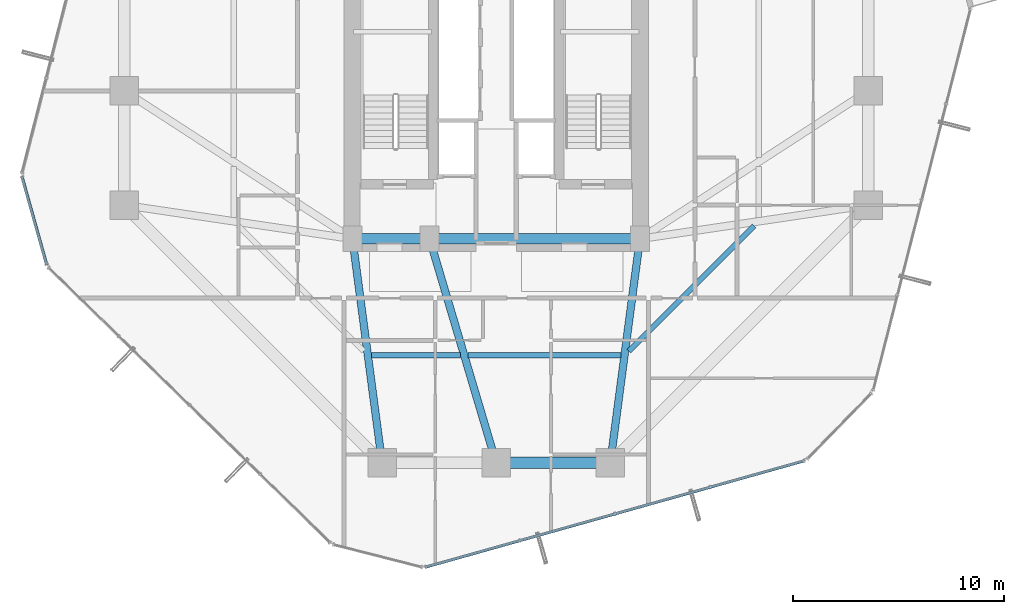
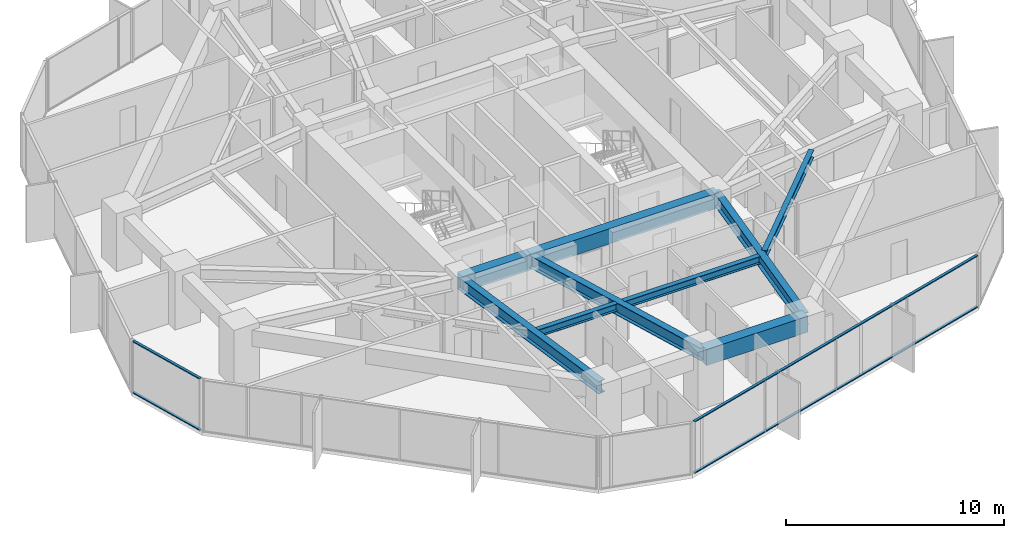
# One storey, part 8 of 39: 9 beams, 4 members, 2 elements without a shape of their own.
"""IFC4 building model written with IfcOpenShell, lengths in metres."""

from ifc_helpers import new_model, si_unit, direction, frame, origin, origin_2d, place, context, subcontext, project, spatial, rectangle, hollow_rectangle, i_section, extrude, source, transform, mapped, material, layer, layer_set, material_profile, profile_set, type_object, element, aggregate, save


model = new_model("IFC4")

# Units and contexts
model_context = context("Model", 3, precision=1e-05, world=origin(), true_north=direction((0.0, 1.0)))
body_context = subcontext(model_context, "Body", "Model", "MODEL_VIEW")
ifc_project = project(units=[si_unit("LENGTHUNIT", "METRE"), si_unit("AREAUNIT", "SQUARE_METRE"), si_unit("VOLUMEUNIT", "CUBIC_METRE"), si_unit("PLANEANGLEUNIT", "RADIAN"), si_unit("MASSUNIT", "GRAM", prefix="KILO")], contexts=[model_context])

# Site, building, storey
site_placement = place(None, origin())
site = spatial("IfcSite", under=ifc_project, at=site_placement, CompositionType="ELEMENT")
building_placement = place(site_placement, origin())
building = spatial("IfcBuilding", under=site, at=building_placement, Name="Veraguas Prism Commons", CompositionType="ELEMENT")
storey_placement = place(building_placement, frame((0.0, 0.0, 77.10009765625)))
storey = spatial("IfcBuildingStorey", under=building, at=storey_placement, Name="L21", CompositionType="ELEMENT", Elevation=77.10009765625)

# Beams
ifc_material_1 = material(Name="Concrete C50/60", Category="concrete")
ifc_material_profile_1 = material_profile(ifc_material_1, rectangle(XDim=0.5, YDim=0.85009765625, at=origin_2d()), Name="RC500X850")
ifc_profile_set_1 = profile_set([ifc_material_profile_1], Name="Concrete C50/60")
beam_type_1 = type_object("IfcBeamType", Name="Core Coupling Beam RC 500x850", PredefinedType="BEAM", material=ifc_profile_set_1)
beam_1_placement = place(storey_placement, frame((17.199951171875, 17.0, 2.5048828125), z_axis=(1.0, 0.0, 0.0), x_axis=(0.0, 1.0, 0.0)))
element("IfcBeam", 1, at=beam_1_placement, inside=storey, type_object=beam_type_1, Name="Core Coupling Beam L21-CRS1", PredefinedType="BEAM", context=body_context, shape_type="SweptSolid", body=[
    extrude(rectangle(XDim=0.5, YDim=0.85009765625, at=origin_2d()), origin(), (0.0, 0.0, 1.0), 3.650146484375),
])
beam_2_placement = place(storey_placement, frame((20.85009765625, 17.0, 2.5048828125), z_axis=(1.0, 0.0, 0.0), x_axis=(0.0, 1.0, 0.0)))
element("IfcBeam", 2, at=beam_2_placement, inside=storey, type_object=beam_type_1, Name="Core Coupling Beam L21-CRS2", PredefinedType="BEAM", context=body_context, shape_type="SweptSolid", body=[
    extrude(rectangle(XDim=0.5, YDim=0.85009765625, at=origin_2d()), origin(), (0.0, 0.0, 1.0), 9.949951171875),
])
ifc_material_2 = material(Name="Steel ASTM A992 Grade 50", Category="steel")
ifc_material_profile_2 = material_profile(ifc_material_2, i_section(OverallWidth=0.260986328125, OverallDepth=0.419921875, WebThickness=0.01171875, FlangeThickness=0.019287109375, at=origin_2d()), Name="W410X114")
ifc_profile_set_2 = profile_set([ifc_material_profile_2], Name="Steel ASTM A992 Grade 50")
beam_type_2 = type_object("IfcBeamType", Name="Lower Floor Joist W410x114", PredefinedType="JOIST", material=ifc_profile_set_2)
beam_3_placement = place(storey_placement, frame((18.10546875, 11.488037109375, 2.719970703125), z_axis=(1.0, 0.0, 0.0), x_axis=(0.0, 1.0, 0.0)))
element("IfcBeam", 3, at=beam_3_placement, inside=storey, type_object=beam_type_2, Name="Composite Floor Joist L21-JS10", PredefinedType="JOIST", context=body_context, shape_type="SweptSolid", body=[
    extrude(i_section(OverallWidth=0.260986328125, OverallDepth=0.419921875, WebThickness=0.01171875, FlangeThickness=0.019287109375, at=origin_2d()), origin(), (0.0, 0.0, 1.0), 4.198974609375),
])
beam_4_placement = place(storey_placement, frame((22.671630859375, 11.488037109375, 2.719970703125), z_axis=(1.0, 0.0, 0.0), x_axis=(0.0, 1.0, 0.0)))
element("IfcBeam", 4, at=beam_4_placement, inside=storey, type_object=beam_type_2, Name="Composite Floor Joist L21-JS11", PredefinedType="JOIST", context=body_context, shape_type="SweptSolid", body=[
    extrude(i_section(OverallWidth=0.260986328125, OverallDepth=0.419921875, WebThickness=0.01171875, FlangeThickness=0.019287109375, at=origin_2d()), origin(), (0.0, 0.0, 1.0), 7.222900390625),
])
beam_5_placement = place(storey_placement, frame((30.276611328125, 11.6923828125, 2.719970703125), z_axis=(0.707092226423, 0.70712133565, 0.0), x_axis=(-0.70712133565, 0.707092226423, 0.0)))
element("IfcBeam", 5, at=beam_5_placement, inside=storey, type_object=beam_type_2, Name="Composite Floor Joist L21-JS12", PredefinedType="JOIST", context=body_context, shape_type="SweptSolid", body=[
    extrude(i_section(OverallWidth=0.260986328125, OverallDepth=0.419921875, WebThickness=0.01171875, FlangeThickness=0.019287109375, at=origin_2d()), origin(), (0.0, 0.0, 1.0), 8.386962890625),
])
ifc_material_profile_3 = material_profile(ifc_material_1, rectangle(XDim=0.550048828125, YDim=0.89990234375, at=origin_2d()), Name="RC550X900")
ifc_profile_set_3 = profile_set([ifc_material_profile_3], Name="Concrete C50/60")
beam_type_3 = type_object("IfcBeamType", Name="Perimeter Spandrel Lower RC 550x900", PredefinedType="SPANDREL", material=ifc_profile_set_3)
beam_6_placement = place(storey_placement, frame((24.0, 6.39990234375, 2.47998046875), z_axis=(1.0, 0.0, 0.0), x_axis=(0.0, 1.0, 0.0)))
element("IfcBeam", 6, at=beam_6_placement, inside=storey, type_object=beam_type_3, Name="Perimeter Spandrel Beam L21-SP11", PredefinedType="SPANDREL", context=body_context, shape_type="SweptSolid", body=[
    extrude(rectangle(XDim=0.550048828125, YDim=0.89990234375, at=origin_2d()), origin(), (0.0, 0.0, 1.0), 5.39990234375),
])
ifc_material_profile_4 = material_profile(ifc_material_2, i_section(OverallWidth=0.35595703125, OverallDepth=0.700927734375, WebThickness=0.016845703125, FlangeThickness=0.02734375, at=origin_2d()), Name="W690X240")
ifc_profile_set_4 = profile_set([ifc_material_profile_4], Name="Steel ASTM A992 Grade 50")
beam_type_4 = type_object("IfcBeamType", Name="Zone 1 Radial Girder W690x240", PredefinedType="BEAM", material=ifc_profile_set_4)
beam_7_placement = place(storey_placement, frame((18.60009765625, 6.39990234375, 2.579345703125), z_axis=(-0.130950648891, 0.991388888154, 0.0), x_axis=(-0.991388888154, -0.130950648891, 0.0)))
element("IfcBeam", 7, at=beam_7_placement, inside=storey, type_object=beam_type_4, Name="Radial Floor Girder L21-RD10", PredefinedType="BEAM", context=body_context, shape_type="SweptSolid", body=[
    extrude(i_section(OverallWidth=0.35595703125, OverallDepth=0.700927734375, WebThickness=0.016845703125, FlangeThickness=0.02734375, at=origin_2d()), origin(), (0.0, 0.0, 1.0), 10.692138671875),
])
beam_8_placement = place(storey_placement, frame((24.0, 6.39990234375, 2.579345703125), z_axis=(-0.28484745997, 0.958572858237, 0.0), x_axis=(-0.958572858237, -0.28484745997, 0.0)))
element("IfcBeam", 8, at=beam_8_placement, inside=storey, type_object=beam_type_4, Name="Radial Floor Girder L21-RD11", PredefinedType="BEAM", context=body_context, shape_type="SweptSolid", body=[
    extrude(i_section(OverallWidth=0.35595703125, OverallDepth=0.700927734375, WebThickness=0.016845703125, FlangeThickness=0.02734375, at=origin_2d()), origin(), (0.0, 0.0, 1.0), 11.05810546875),
])
beam_9_placement = place(storey_placement, frame((29.39990234375, 6.39990234375, 2.579345703125), z_axis=(0.130950648891, 0.991388888154, 0.0), x_axis=(-0.991388888154, 0.130950648891, 0.0)))
element("IfcBeam", 9, at=beam_9_placement, inside=storey, type_object=beam_type_4, Name="Radial Floor Girder L21-RD12", PredefinedType="BEAM", context=body_context, shape_type="SweptSolid", body=[
    extrude(i_section(OverallWidth=0.35595703125, OverallDepth=0.700927734375, WebThickness=0.016845703125, FlangeThickness=0.02734375, at=origin_2d()), origin(), (0.0, 0.0, 1.0), 10.692138671875),
])

# Curtain wall, members
ifc_material_3 = material(Name="Anodised aluminium EN AW-6063 T6", Category="aluminium")
ifc_layer = layer(ifc_material_3, 0.169921875, Name="Unitised Flush Curtain Wall Zone 1", Category="aluminium")
ifc_layer_set = layer_set([ifc_layer], Name="Anodised aluminium EN AW-6063 T6")
curtain_wall_type = type_object("IfcCurtainWallType", Name="Unitised Flush Curtain Wall Zone 1", PredefinedType="NOTDEFINED", material=ifc_layer_set)
curtain_wall_1_placement = place(storey_placement, origin())
curtain_wall_1 = element("IfcCurtainWall", 10, at=curtain_wall_1_placement, inside=storey, type_object=curtain_wall_type, Name="Tower Facade Curtain Wall L21-F5", PredefinedType="NOTDEFINED")
ifc_material_profile_5 = material_profile(ifc_material_3, hollow_rectangle(XDim=0.054931640625, YDim=0.135009765625, WallThickness=0.0029296875, at=origin_2d()), Name="AL55X135X3")
ifc_profile_set_5 = profile_set([ifc_material_profile_5], Name="Anodised aluminium EN AW-6063 T6")
member_type = type_object("IfcMemberType", Name="Curtain Wall Transom Standard AL 55x135x3", PredefinedType="USERDEFINED", material=ifc_profile_set_5)
shared_shape_1 = source(origin(), body_context, "Body", "SweptSolid", [
    extrude(hollow_rectangle(XDim=0.054931640625, YDim=0.135009765625, WallThickness=0.0029296875, at=origin_2d()), origin(), (0.0, 0.0, 1.0), 18.623779296875),
])
member_1_placement = place(storey_placement, frame((20.652099609375, 1.47216796875, 0.02734375), z_axis=(0.962784500014, 0.27027024722, 0.0), x_axis=(0.0, 0.0, 1.0)))
member_1 = element("IfcMember", 11, at=member_1_placement, type_object=member_type, Name="CW-Z1 Transom 1", ObjectType="TRANSOM", PredefinedType="USERDEFINED", context=body_context, shape_type="MappedRepresentation", body=[
    mapped(shared_shape_1, transform((0.0, 0.0, 0.0), scale=1.0)),
])
member_2_placement = place(storey_placement, frame((20.652099609375, 1.47216796875, 2.90234375), z_axis=(0.962784500014, 0.27027024722, 0.0), x_axis=(0.0, 0.0, 1.0)))
member_2 = element("IfcMember", 12, at=member_2_placement, type_object=member_type, Name="CW-Z1 Transom 2", ObjectType="TRANSOM", PredefinedType="USERDEFINED", context=body_context, shape_type="MappedRepresentation", body=[
    mapped(shared_shape_1, transform((0.0, 0.0, 0.0), scale=1.0)),
])
aggregate(curtain_wall_1, [member_1, member_2])

curtain_wall_2_placement = place(storey_placement, origin())
curtain_wall_2 = element("IfcCurtainWall", 13, at=curtain_wall_2_placement, inside=storey, type_object=curtain_wall_type, Name="Chamfer Curtain Wall L21-C4", PredefinedType="NOTDEFINED")
shared_shape_2 = source(origin(), body_context, "Body", "SweptSolid", [
    extrude(hollow_rectangle(XDim=0.054931640625, YDim=0.135009765625, WallThickness=0.0029296875, at=origin_2d()), origin(), (0.0, 0.0, 1.0), 4.31982421875),
])
member_3_placement = place(storey_placement, frame((1.56005859375, 19.9443359375, 0.02734375), z_axis=(0.270254551981, -0.962788905801, 0.0), x_axis=(0.0, 0.0, 1.0)))
member_3 = element("IfcMember", 14, at=member_3_placement, type_object=member_type, Name="CW-Z1 Transom 1", ObjectType="TRANSOM", PredefinedType="USERDEFINED", context=body_context, shape_type="MappedRepresentation", body=[
    mapped(shared_shape_2, transform((0.0, 0.0, 0.0), scale=1.0)),
])
member_4_placement = place(storey_placement, frame((1.56005859375, 19.9443359375, 2.90234375), z_axis=(0.270254551981, -0.962788905801, 0.0), x_axis=(0.0, 0.0, 1.0)))
member_4 = element("IfcMember", 15, at=member_4_placement, type_object=member_type, Name="CW-Z1 Transom 2", ObjectType="TRANSOM", PredefinedType="USERDEFINED", context=body_context, shape_type="MappedRepresentation", body=[
    mapped(shared_shape_2, transform((0.0, 0.0, 0.0), scale=1.0)),
])
aggregate(curtain_wall_2, [member_3, member_4])

save(model, "model.ifc")
